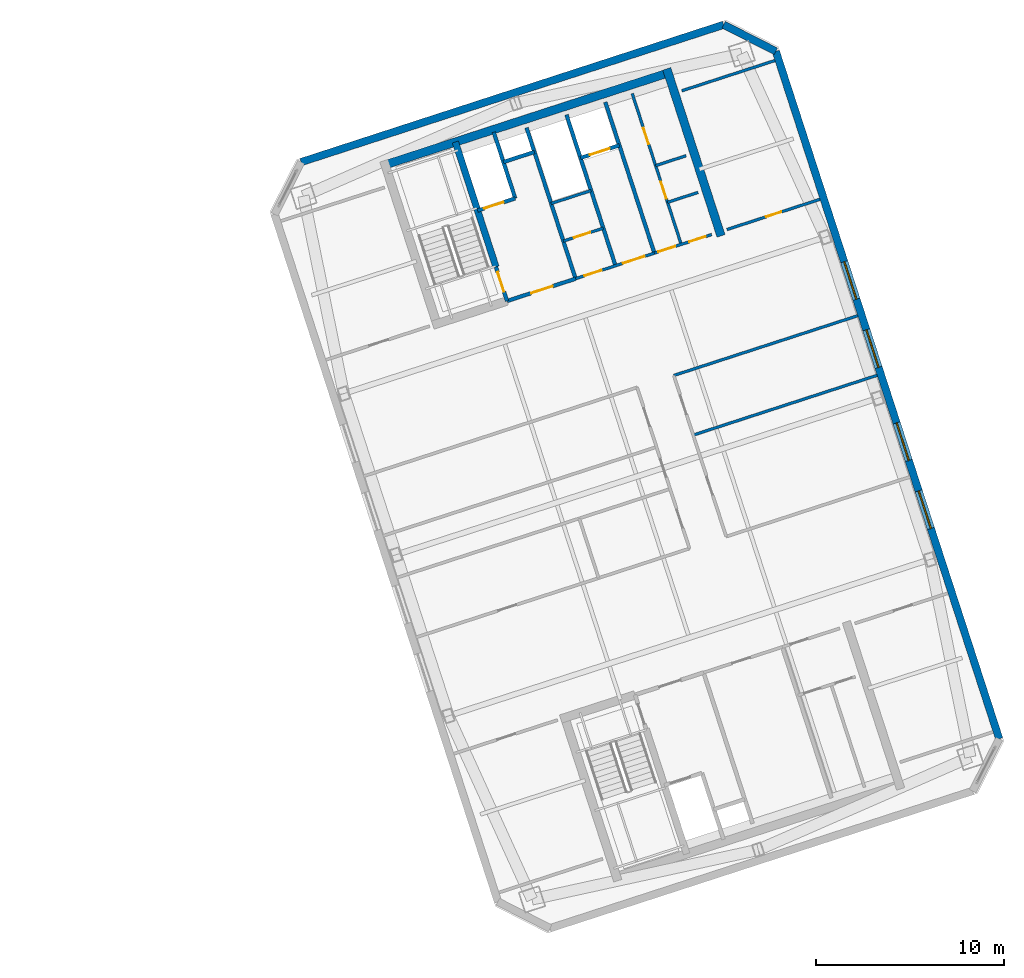
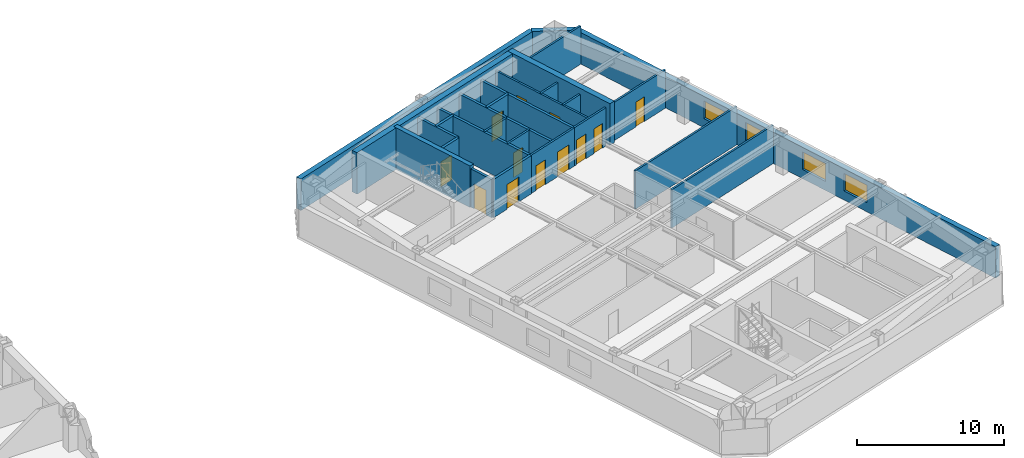
# One storey, part 17 of 20: 26 walls, 12 doors, 4 windows, 16 openings.
"""IFC4 building model written with IfcOpenShell, lengths in metres."""

from ifc_helpers import new_model, si_unit, direction, frame, frame_2d, origin, place, context, subcontext, project, spatial, rectangle, extrude, material, layer, layer_set, type_object, element, fill, save


model = new_model("IFC4")

# Units and contexts
model_context = context("Model", 3, precision=1e-05, world=origin(), true_north=direction((0.0, 1.0)))
body_context = subcontext(model_context, "Body", "Model", "MODEL_VIEW")
ifc_project = project(units=[si_unit("LENGTHUNIT", "METRE"), si_unit("AREAUNIT", "SQUARE_METRE"), si_unit("VOLUMEUNIT", "CUBIC_METRE"), si_unit("PLANEANGLEUNIT", "RADIAN"), si_unit("MASSUNIT", "GRAM", prefix="KILO")], contexts=[model_context])

# Site, building, storey
site_placement = place(None, origin())
site = spatial("IfcSite", under=ifc_project, at=site_placement, CompositionType="ELEMENT")
building_placement = place(site_placement, origin())
building = spatial("IfcBuilding", under=site, at=building_placement, Name="Qiaolan Cultural Towers", CompositionType="ELEMENT")
storey_placement = place(building_placement, frame((0.0, 0.0, 223.10009765625)))
storey = spatial("IfcBuildingStorey", under=building, at=storey_placement, Name="L60", CompositionType="ELEMENT", Elevation=223.10009765625)

# Walls
ifc_material_1 = material(Name="Concrete C50", Category="concrete")
ifc_layer_1 = layer(ifc_material_1, 0.35009765625)
ifc_layer_set_1 = layer_set([ifc_layer_1], Name="Concrete C50")
wall_type_1 = type_object("IfcWallType", Name="WL-CORE-350", PredefinedType="SHEAR", material=ifc_layer_set_1)
wall_1_placement = place(storey_placement, frame((82.513671875, 45.13134765625, 0.0), z_axis=(0.0, 0.0, 1.0), x_axis=(-0.308988790936, 0.951065679686, 0.0)))
element("IfcWall", 1, at=wall_1_placement, inside=storey, type_object=wall_type_1, Name="L60 T2-CN Stair Core Dividing Web", PredefinedType="SHEAR", context=body_context, shape_type="SweptSolid", body=[
    extrude(rectangle(XDim=6.97998046875, YDim=0.35009765625, at=frame_2d((3.489990234375, 0.0))), origin(), (0.0, 0.0, 1.0), 3.449951171875),
])
ifc_material_2 = material(Name="Concrete C50", Category="concrete")
ifc_layer_2 = layer(ifc_material_2, 0.449951171875)
ifc_layer_set_2 = layer_set([ifc_layer_2], Name="Concrete C50")
wall_type_2 = type_object("IfcWallType", Name="WL-CORE-450", PredefinedType="SHEAR", material=ifc_layer_set_2)
wall_2_placement = place(storey_placement, frame((76.414794921875, 50.489013671875, 0.0), z_axis=(0.0, 0.0, 1.0), x_axis=(0.951056810414, 0.309016089169, 0.0)))
element("IfcWall", 2, at=wall_2_placement, inside=storey, type_object=wall_type_2, Name="L60 T2-CN Outer Core Shear Wall", PredefinedType="SHEAR", context=body_context, shape_type="SweptSolid", body=[
    extrude(rectangle(XDim=16.25, YDim=0.449951171875, at=frame_2d((8.125, 0.0))), origin(), (0.0, 0.0, 1.0), 3.449951171875),
])
wall_3_placement = place(storey_placement, frame((94.468994140625, 46.781494140625, 0.0), z_axis=(0.0, 0.0, 1.0), x_axis=(-0.309004419953, 0.951060601881, 0.0)))
element("IfcWall", 3, at=wall_3_placement, inside=storey, type_object=wall_type_2, Name="L60 T2-CN East Core Shear Wall", PredefinedType="SHEAR", context=body_context, shape_type="SweptSolid", body=[
    extrude(rectangle(XDim=9.330078125, YDim=0.449951171875, at=frame_2d((4.6650390625, 0.0))), origin(), (0.0, 0.0, 1.0), 3.449951171875),
])
ifc_material_3 = material(Name="Precast Concrete C50 Honed Stone Pier", Category="masonry")
ifc_layer_3 = layer(ifc_material_3, 0.39990234375)
ifc_layer_set_3 = layer_set([ifc_layer_3], Name="Precast Concrete C50 Honed Stone Pier")
wall_type_3 = type_object("IfcWallType", Name="WL-EXT-PIER-400", PredefinedType="SOLIDWALL", material=ifc_layer_set_3)
wall_4_placement = place(storey_placement, frame((72.16455078125, 50.706298828125, 0.0), z_axis=(0.0, 0.0, 1.0), x_axis=(0.951058012937, 0.309012388148, 0.0)))
element("IfcWall", 4, at=wall_4_placement, inside=storey, type_object=wall_type_3, Name="L60 East Tower Precast Pier Facade Wall F3", PredefinedType="SOLIDWALL", context=body_context, shape_type="SweptSolid", body=[
    extrude(rectangle(XDim=23.60009765625, YDim=0.39990234375, at=frame_2d((11.800048828125, 0.0))), origin(), (0.0, 0.0, 1.0), 2.60986328125),
])
wall_5_placement = place(storey_placement, frame((94.609619140625, 57.9990234375, 0.0), z_axis=(0.0, 0.0, 1.0), x_axis=(0.890979603174, -0.454043331334, 0.0)))
element("IfcWall", 5, at=wall_5_placement, inside=storey, type_object=wall_type_3, Name="L60 East Tower Precast Pier Facade Wall F4", PredefinedType="SOLIDWALL", context=body_context, shape_type="SweptSolid", body=[
    extrude(rectangle(XDim=3.111083984375, YDim=0.39990234375, at=frame_2d((1.5556640625, 0.0))), origin(), (0.0, 0.0, 1.0), 2.60986328125),
])

# Wall, openings, windows
wall_6_placement = place(storey_placement, frame((97.381591796875, 56.58642578125, 0.0), z_axis=(0.0, 0.0, 1.0), x_axis=(0.309016491071, -0.951056679828, 0.0)))
wall_6 = element("IfcWall", 6, at=wall_6_placement, inside=storey, type_object=wall_type_3, Name="L60 East Tower Precast Pier Facade Wall F5", PredefinedType="SOLIDWALL", context=body_context, shape_type="SweptSolid", body=[
    extrude(rectangle(XDim=38.39990234375, YDim=0.39990234375, at=frame_2d((19.199951171875, 0.0))), origin(), (0.0, 0.0, 1.0), 2.60986328125),
])
opening_1_placement = place(wall_6_placement, frame((24.550048828125, 0.0, 0.75)))
opening_1 = element("IfcOpeningElement", 7, at=opening_1_placement, cuts=wall_6, Name="Opening W-05", PredefinedType="OPENING", context=body_context, shape_type="SweptSolid", body=[
    extrude(rectangle(XDim=2.10009765625, YDim=1.4599609375, at=frame_2d((1.050048828125, 0.72998046875))), frame((0.0, 0.2099609375, 0.0), z_axis=(0.0, -1.0, 0.0), x_axis=(1.0, 0.0, 0.0)), (0.0, 0.0, 1.0), 0.419921875),
])
opening_2_placement = place(wall_6_placement, frame((20.75, 0.0, 0.75)))
opening_2 = element("IfcOpeningElement", 8, at=opening_2_placement, cuts=wall_6, Name="Opening W-05", PredefinedType="OPENING", context=body_context, shape_type="SweptSolid", body=[
    extrude(rectangle(XDim=2.10009765625, YDim=1.4599609375, at=frame_2d((1.050048828125, 0.72998046875))), frame((0.0, 0.2099609375, 0.0), z_axis=(0.0, -1.0, 0.0), x_axis=(1.0, 0.0, 0.0)), (0.0, 0.0, 1.0), 0.419921875),
])
opening_3_placement = place(wall_6_placement, frame((15.550048828125, 0.0, 0.75)))
opening_3 = element("IfcOpeningElement", 9, at=opening_3_placement, cuts=wall_6, Name="Opening W-05", PredefinedType="OPENING", context=body_context, shape_type="SweptSolid", body=[
    extrude(rectangle(XDim=2.10009765625, YDim=1.4599609375, at=frame_2d((1.050048828125, 0.72998046875))), frame((0.0, 0.2099609375, 0.0), z_axis=(0.0, -1.0, 0.0), x_axis=(1.0, 0.0, 0.0)), (0.0, 0.0, 1.0), 0.419921875),
])
opening_4_placement = place(wall_6_placement, frame((11.75, 0.0, 0.75)))
opening_4 = element("IfcOpeningElement", 10, at=opening_4_placement, cuts=wall_6, Name="Opening W-05", PredefinedType="OPENING", context=body_context, shape_type="SweptSolid", body=[
    extrude(rectangle(XDim=2.10009765625, YDim=1.4599609375, at=frame_2d((1.050048828125, 0.72998046875))), frame((0.0, 0.2099609375, 0.0), z_axis=(0.0, -1.0, 0.0), x_axis=(1.0, 0.0, 0.0)), (0.0, 0.0, 1.0), 0.419921875),
])
ifc_material_4 = material(Name="Thermally Broken Aluminium Triple Low-E Glazing", Category="aluminium")
window_type = type_object("IfcWindowType", Name="WN-CHIC-2100", PartitioningType="SINGLE_PANEL", PredefinedType="WINDOW", material=ifc_material_4)
window_1_placement = place(opening_1_placement, origin())
window_1 = element("IfcWindow", 11, at=window_1_placement, inside=storey, type_object=window_type, Name="L60 T2 E Chicago Bay Window 1", OverallHeight=1.4599609375, OverallWidth=2.10009765625, PartitioningType="TRIPLE_PANEL_VERTICAL", PredefinedType="WINDOW", context=body_context, shape_type="SweptSolid", body=[
    extrude(rectangle(XDim=2.10009765625, YDim=1.4599609375, at=frame_2d((1.050048828125, 0.72998046875))), frame((0.0, 0.030029296875, 0.0), z_axis=(0.0, -1.0, 0.0), x_axis=(1.0, 0.0, 0.0)), (0.0, 0.0, 1.0), 0.06005859375),
])
fill(opening_1, window_1)
window_2_placement = place(opening_2_placement, origin())
window_2 = element("IfcWindow", 12, at=window_2_placement, inside=storey, type_object=window_type, Name="L60 T2 E Chicago Bay Window 2", OverallHeight=1.4599609375, OverallWidth=2.10009765625, PartitioningType="TRIPLE_PANEL_VERTICAL", PredefinedType="WINDOW", context=body_context, shape_type="SweptSolid", body=[
    extrude(rectangle(XDim=2.10009765625, YDim=1.4599609375, at=frame_2d((1.050048828125, 0.72998046875))), frame((0.0, 0.030029296875, 0.0), z_axis=(0.0, -1.0, 0.0), x_axis=(1.0, 0.0, 0.0)), (0.0, 0.0, 1.0), 0.06005859375),
])
fill(opening_2, window_2)
window_3_placement = place(opening_3_placement, origin())
window_3 = element("IfcWindow", 13, at=window_3_placement, inside=storey, type_object=window_type, Name="L60 T2 E Chicago Bay Window 3", OverallHeight=1.4599609375, OverallWidth=2.10009765625, PartitioningType="TRIPLE_PANEL_VERTICAL", PredefinedType="WINDOW", context=body_context, shape_type="SweptSolid", body=[
    extrude(rectangle(XDim=2.10009765625, YDim=1.4599609375, at=frame_2d((1.050048828125, 0.72998046875))), frame((0.0, 0.030029296875, 0.0), z_axis=(0.0, -1.0, 0.0), x_axis=(1.0, 0.0, 0.0)), (0.0, 0.0, 1.0), 0.06005859375),
])
fill(opening_3, window_3)
window_4_placement = place(opening_4_placement, origin())
window_4 = element("IfcWindow", 14, at=window_4_placement, inside=storey, type_object=window_type, Name="L60 T2 E Chicago Bay Window 4", OverallHeight=1.4599609375, OverallWidth=2.10009765625, PartitioningType="TRIPLE_PANEL_VERTICAL", PredefinedType="WINDOW", context=body_context, shape_type="SweptSolid", body=[
    extrude(rectangle(XDim=2.10009765625, YDim=1.4599609375, at=frame_2d((1.050048828125, 0.72998046875))), frame((0.0, 0.030029296875, 0.0), z_axis=(0.0, -1.0, 0.0), x_axis=(1.0, 0.0, 0.0)), (0.0, 0.0, 1.0), 0.06005859375),
])
fill(opening_4, window_4)

# Wall, opening, door
ifc_material_5 = material(Name="Concrete C35 Fire Wall", Category="concrete")
ifc_layer_4 = layer(ifc_material_5, 0.199951171875)
ifc_layer_set_4 = layer_set([ifc_layer_4], Name="Concrete C35 Fire Wall")
wall_type_4 = type_object("IfcWallType", Name="WL-FIRE-200", PredefinedType="PARTITIONING", material=ifc_layer_set_4)
wall_7_placement = place(storey_placement, frame((83.100830078125, 43.324462890625, 0.0), z_axis=(0.0, 0.0, 1.0), x_axis=(-0.309048298632, 0.951046344356, 0.0)))
wall_7 = element("IfcWall", 15, at=wall_7_placement, inside=storey, type_object=wall_type_4, Name="L60 T2-CN Smokeproof Stair Entry Wall", PredefinedType="PARTITIONING", context=body_context, shape_type="SweptSolid", body=[
    extrude(rectangle(XDim=1.89990234375, YDim=0.199951171875, at=frame_2d((0.949951171875, 0.0))), origin(), (0.0, 0.0, 1.0), 3.1748046875),
])
opening_5_placement = place(wall_7_placement, frame((0.52001953125, 0.0, 0.0)))
opening_5 = element("IfcOpeningElement", 16, at=opening_5_placement, cuts=wall_7, Name="Opening FD-04", PredefinedType="OPENING", context=body_context, shape_type="SweptSolid", body=[
    extrude(rectangle(XDim=1.10009765625, YDim=2.050048828125, at=frame_2d((0.550048828125, 1.02490234375))), frame((0.0, 0.10986328125, 0.0), z_axis=(0.0, -1.0, 0.0), x_axis=(1.0, 0.0, 0.0)), (0.0, 0.0, 1.0), 0.219970703125),
])
ifc_material_6 = material(Name="Galvanized Steel Command Fire Door", Category="steel")
door_type_1 = type_object("IfcDoorType", Name="DR-FD90-1100", OperationType="NOTDEFINED", PredefinedType="DOOR", material=ifc_material_6)
door_1_placement = place(opening_5_placement, origin())
door_1 = element("IfcDoor", 17, at=door_1_placement, inside=storey, type_object=door_type_1, Name="L60 ST-E2 Smokeproof Stair Fire Door", OperationType="SINGLE_SWING_LEFT", OverallHeight=2.050048828125, OverallWidth=1.10009765625, PredefinedType="DOOR", context=body_context, shape_type="SweptSolid", body=[
    extrude(rectangle(XDim=1.10009765625, YDim=2.050048828125, at=frame_2d((0.550048828125, 1.02490234375))), frame((0.0, 0.02490234375, 0.0), z_axis=(0.0, -1.0, 0.0), x_axis=(1.0, 0.0, 0.0)), (0.0, 0.0, 1.0), 0.050048828125),
])
fill(opening_5, door_1)

# Wall
wall_8_placement = place(storey_placement, frame((86.743408203125, 44.508056640625, 0.0), z_axis=(0.0, 0.0, 1.0), x_axis=(-0.309016001439, 0.951056838919, 0.0)))
element("IfcWall", 18, at=wall_8_placement, inside=storey, type_object=wall_type_4, Name="L60 T2-CN Firefighting Zone Wall", PredefinedType="PARTITIONING", context=body_context, shape_type="SweptSolid", body=[
    extrude(rectangle(XDim=8.429931640625, YDim=0.199951171875, at=frame_2d((4.21484375, 0.0))), origin(), (0.0, 0.0, 1.0), 3.1748046875),
])

# Wall, opening, door
wall_9_placement = place(storey_placement, frame((83.100830078125, 43.324462890625, 0.0), z_axis=(0.0, 0.0, 1.0), x_axis=(0.951052804469, 0.309028417967, 0.0)))
wall_9 = element("IfcWall", 19, at=wall_9_placement, inside=storey, type_object=wall_type_4, Name="L60 T2-CN Firefighting Lobby Front Wall", PredefinedType="PARTITIONING", context=body_context, shape_type="SweptSolid", body=[
    extrude(rectangle(XDim=3.830078125, YDim=0.199951171875, at=frame_2d((1.9150390625, 0.0))), origin(), (0.0, 0.0, 1.0), 3.1748046875),
])
opening_6_placement = place(wall_9_placement, frame((1.35009765625, 0.0, 0.0)))
opening_6 = element("IfcOpeningElement", 20, at=opening_6_placement, cuts=wall_9, Name="Opening FD-03", PredefinedType="OPENING", context=body_context, shape_type="SweptSolid", body=[
    extrude(rectangle(XDim=1.199951171875, YDim=2.050048828125, at=frame_2d((0.60009765625, 1.02490234375))), frame((0.0, 0.10986328125, 0.0), z_axis=(0.0, -1.0, 0.0), x_axis=(1.0, 0.0, 0.0)), (0.0, 0.0, 1.0), 0.219970703125),
])
ifc_material_7 = material(Name="Galvanized Steel Smokeproof Lobby Fire Door", Category="steel")
door_type_2 = type_object("IfcDoorType", Name="DR-FD90-1200", OperationType="NOTDEFINED", PredefinedType="DOOR", material=ifc_material_7)
door_2_placement = place(opening_6_placement, origin())
door_2 = element("IfcDoor", 21, at=door_2_placement, inside=storey, type_object=door_type_2, Name="L60 FFL-E2 Firefighting Lobby Fire Door", OperationType="SINGLE_SWING_LEFT", OverallHeight=2.050048828125, OverallWidth=1.199951171875, PredefinedType="DOOR", context=body_context, shape_type="SweptSolid", body=[
    extrude(rectangle(XDim=1.199951171875, YDim=2.050048828125, at=frame_2d((0.60009765625, 1.02490234375))), frame((0.0, 0.02490234375, 0.0), z_axis=(0.0, -1.0, 0.0), x_axis=(1.0, 0.0, 0.0)), (0.0, 0.0, 1.0), 0.050048828125),
])
fill(opening_6, door_2)

wall_10_placement = place(storey_placement, frame((81.540283203125, 48.127197265625, 0.0), z_axis=(0.0, 0.0, 1.0), x_axis=(0.951062257173, 0.308999325213, 0.0)))
wall_10 = element("IfcWall", 22, at=wall_10_placement, inside=storey, type_object=wall_type_4, Name="L60 T2-CN Firefighting Shaft Front Wall", PredefinedType="PARTITIONING", context=body_context, shape_type="SweptSolid", body=[
    extrude(rectangle(XDim=2.10009765625, YDim=0.199951171875, at=frame_2d((1.050048828125, 0.0))), origin(), (0.0, 0.0, 1.0), 3.1748046875),
])
opening_7_placement = place(wall_10_placement, frame((0.35009765625, 0.0, 0.0)))
opening_7 = element("IfcOpeningElement", 23, at=opening_7_placement, cuts=wall_10, Name="Opening LD-01", PredefinedType="OPENING", context=body_context, shape_type="SweptSolid", body=[
    extrude(rectangle(XDim=1.10009765625, YDim=2.050048828125, at=frame_2d((0.550048828125, 1.02490234375))), frame((0.0, 0.10986328125, 0.0), z_axis=(0.0, -1.0, 0.0), x_axis=(1.0, 0.0, 0.0)), (0.0, 0.0, 1.0), 0.219970703125),
])
ifc_material_8 = material(Name="Brushed Stainless Steel S30408 Centre-Parting Lift Landing Door", Category="steel")
door_type_3 = type_object("IfcDoorType", Name="DR-LIFT-1100", OperationType="NOTDEFINED", PredefinedType="DOOR", material=ifc_material_8)
door_3_placement = place(opening_7_placement, origin())
door_3 = element("IfcDoor", 24, at=door_3_placement, inside=storey, type_object=door_type_3, Name="L60 FFL-E2 Firefighting Lift Landing Door", OperationType="DOUBLE_DOOR_SLIDING", OverallHeight=2.050048828125, OverallWidth=1.10009765625, PredefinedType="DOOR", context=body_context, shape_type="SweptSolid", body=[
    extrude(rectangle(XDim=1.10009765625, YDim=2.050048828125, at=frame_2d((0.550048828125, 1.02490234375))), frame((0.0, 0.02490234375, 0.0), z_axis=(0.0, -1.0, 0.0), x_axis=(1.0, 0.0, 0.0)), (0.0, 0.0, 1.0), 0.050048828125),
])
fill(opening_7, door_3)

# Walls
wall_11_placement = place(storey_placement, frame((83.53759765625, 48.776123046875, 0.0), z_axis=(0.0, 0.0, 1.0), x_axis=(-0.3089935693, 0.951064127245, 0.0)))
element("IfcWall", 25, at=wall_11_placement, inside=storey, type_object=wall_type_4, Name="L60 T2-CN Firefighting Hoistway East Wall", PredefinedType="PARTITIONING", context=body_context, shape_type="SweptSolid", body=[
    extrude(rectangle(XDim=3.7001953125, YDim=0.199951171875, at=frame_2d((1.85009765625, 0.0))), origin(), (0.0, 0.0, 1.0), 3.1748046875),
])
wall_12_placement = place(storey_placement, frame((82.910400390625, 50.706787109375, 0.0), z_axis=(0.0, 0.0, 1.0), x_axis=(0.951041328149, 0.309063734775, 0.0)))
element("IfcWall", 26, at=wall_12_placement, inside=storey, type_object=wall_type_4, Name="L60 T2-CN Pressurization Shaft Front Wall", PredefinedType="PARTITIONING", context=body_context, shape_type="SweptSolid", body=[
    extrude(rectangle(XDim=1.72998046875, YDim=0.199951171875, at=frame_2d((0.864990234375, 0.0))), origin(), (0.0, 0.0, 1.0), 3.1748046875),
])
wall_13_placement = place(storey_placement, frame((90.92822265625, 45.86767578125, 0.0), z_axis=(0.0, 0.0, 1.0), x_axis=(-0.309042196757, 0.951048327176, 0.0)))
element("IfcWall", 27, at=wall_13_placement, inside=storey, type_object=wall_type_4, Name="L60 T2-CN Lift Core East Wall", PredefinedType="PARTITIONING", context=body_context, shape_type="SweptSolid", body=[
    extrude(rectangle(XDim=8.429931640625, YDim=0.199951171875, at=frame_2d((4.21484375, 0.0))), origin(), (0.0, 0.0, 1.0), 3.1748046875),
])
wall_14_placement = place(storey_placement, frame((88.8642578125, 45.197021484375, 0.0), z_axis=(0.0, 0.0, 1.0), x_axis=(-0.309007490203, 0.951059604335, 0.0)))
element("IfcWall", 28, at=wall_14_placement, inside=storey, type_object=wall_type_4, Name="L60 T2-CN Sky Shuttle Lift Zone Wall", PredefinedType="PARTITIONING", context=body_context, shape_type="SweptSolid", body=[
    extrude(rectangle(XDim=8.43017578125, YDim=0.199951171875, at=frame_2d((4.215087890625, 0.0))), origin(), (0.0, 0.0, 1.0), 3.1748046875),
])

# Wall, opening, door
wall_15_placement = place(storey_placement, frame((87.004150390625, 50.92236328125, 0.0), z_axis=(0.0, 0.0, 1.0), x_axis=(0.951041509718, 0.309063176055, 0.0)))
wall_15 = element("IfcWall", 29, at=wall_15_placement, inside=storey, type_object=wall_type_4, Name="L60 T2-CN Shuttle Lift Shaft Front", PredefinedType="PARTITIONING", context=body_context, shape_type="SweptSolid", body=[
    extrude(rectangle(XDim=2.169921875, YDim=0.199951171875, at=frame_2d((1.0849609375, 0.0))), origin(), (0.0, 0.0, 1.0), 3.1748046875),
])
opening_8_placement = place(wall_15_placement, frame((0.52001953125, 0.0, 0.0)))
opening_8 = element("IfcOpeningElement", 30, at=opening_8_placement, cuts=wall_15, Name="Opening LD-01", PredefinedType="OPENING", context=body_context, shape_type="SweptSolid", body=[
    extrude(rectangle(XDim=1.10009765625, YDim=2.050048828125, at=frame_2d((0.550048828125, 1.02490234375))), frame((0.0, 0.10986328125, 0.0), z_axis=(0.0, -1.0, 0.0), x_axis=(1.0, 0.0, 0.0)), (0.0, 0.0, 1.0), 0.219970703125),
])
door_4_placement = place(opening_8_placement, origin())
door_4 = element("IfcDoor", 31, at=door_4_placement, inside=storey, type_object=door_type_3, Name="L60 Sky Shuttle Lift Landing Door", OperationType="DOUBLE_DOOR_SLIDING", OverallHeight=2.050048828125, OverallWidth=1.10009765625, PredefinedType="DOOR", context=body_context, shape_type="SweptSolid", body=[
    extrude(rectangle(XDim=1.10009765625, YDim=2.050048828125, at=frame_2d((0.550048828125, 1.02490234375))), frame((0.0, 0.02490234375, 0.0), z_axis=(0.0, -1.0, 0.0), x_axis=(1.0, 0.0, 0.0)), (0.0, 0.0, 1.0), 0.050048828125),
])
fill(opening_8, door_4)

# Wall, openings, doors
ifc_material_9 = material(Name="Autoclaved Aerated Concrete Block B06", Category="concrete")
ifc_layer_5 = layer(ifc_material_9, 0.14990234375)
ifc_layer_set_5 = layer_set([ifc_layer_5], Name="Autoclaved Aerated Concrete Block B06")
wall_type_5 = type_object("IfcWallType", Name="WL-PART-150", PredefinedType="PARTITIONING", material=ifc_layer_set_5)
wall_16_placement = place(storey_placement, frame((86.743408203125, 44.508056640625, 0.0), z_axis=(0.0, 0.0, 1.0), x_axis=(0.951063829732, 0.308994485023, 0.0)))
wall_16 = element("IfcWall", 32, at=wall_16_placement, inside=storey, type_object=wall_type_5, Name="L60 T2-CN High-Zone Lift Lobby Wall", PredefinedType="PARTITIONING", context=body_context, shape_type="SweptSolid", body=[
    extrude(rectangle(XDim=4.400146484375, YDim=0.14990234375, at=frame_2d((2.2001953125, 0.0))), origin(), (0.0, 0.0, 1.0), 3.1748046875),
])
opening_9_placement = place(wall_16_placement, frame((0.5, 0.0, 0.0)))
opening_9 = element("IfcOpeningElement", 33, at=opening_9_placement, cuts=wall_16, Name="Opening ID-05", PredefinedType="OPENING", context=body_context, shape_type="SweptSolid", body=[
    extrude(rectangle(XDim=0.949951171875, YDim=2.050048828125, at=frame_2d((0.47509765625, 1.02490234375))), frame((0.0, 0.0849609375, 0.0), z_axis=(0.0, -1.0, 0.0), x_axis=(1.0, 0.0, 0.0)), (0.0, 0.0, 1.0), 0.169921875),
])
opening_10_placement = place(wall_16_placement, frame((2.64990234375, 0.0, 0.0)))
opening_10 = element("IfcOpeningElement", 34, at=opening_10_placement, cuts=wall_16, Name="Opening FD-06", PredefinedType="OPENING", context=body_context, shape_type="SweptSolid", body=[
    extrude(rectangle(XDim=1.199951171875, YDim=2.050048828125, at=frame_2d((0.60009765625, 1.02490234375))), frame((0.0, 0.0849609375, 0.0), z_axis=(0.0, -1.0, 0.0), x_axis=(1.0, 0.0, 0.0)), (0.0, 0.0, 1.0), 0.169921875),
])
ifc_material_10 = material(Name="Painted Steel Plant Fire Door", Category="steel")
door_type_4 = type_object("IfcDoorType", Name="DR-FD60-1200", OperationType="NOTDEFINED", PredefinedType="DOOR", material=ifc_material_10)
door_5_placement = place(opening_10_placement, origin())
door_5 = element("IfcDoor", 35, at=door_5_placement, inside=storey, type_object=door_type_4, Name="L60 Sky Shuttle Lift Lobby Door", OperationType="SINGLE_SWING_RIGHT", OverallHeight=2.050048828125, OverallWidth=1.199951171875, PredefinedType="DOOR", context=body_context, shape_type="SweptSolid", body=[
    extrude(rectangle(XDim=1.199951171875, YDim=2.050048828125, at=frame_2d((0.60009765625, 1.02490234375))), frame((0.0, 0.02490234375, 0.0), z_axis=(0.0, -1.0, 0.0), x_axis=(1.0, 0.0, 0.0)), (0.0, 0.0, 1.0), 0.050048828125),
])
fill(opening_10, door_5)
ifc_material_11 = material(Name="Fire-Rated Laminate Accessible Core Door", Category="timber")
door_type_5 = type_object("IfcDoorType", Name="DR-INT-950", OperationType="NOTDEFINED", PredefinedType="DOOR", material=ifc_material_11)
door_6_placement = place(opening_9_placement, origin())
door_6 = element("IfcDoor", 36, at=door_6_placement, inside=storey, type_object=door_type_5, Name="L60 Reclaimed Server Room Door", OperationType="SINGLE_SWING_LEFT", OverallHeight=2.050048828125, OverallWidth=0.949951171875, PredefinedType="DOOR", context=body_context, shape_type="SweptSolid", body=[
    extrude(rectangle(XDim=0.949951171875, YDim=2.050048828125, at=frame_2d((0.47509765625, 1.02490234375))), frame((0.0, 0.02490234375, 0.0), z_axis=(0.0, -1.0, 0.0), x_axis=(1.0, 0.0, 0.0)), (0.0, 0.0, 1.0), 0.050048828125),
])
fill(opening_9, door_6)

# Wall
wall_17_placement = place(storey_placement, frame((85.445556640625, 48.50244140625, 0.0), z_axis=(0.0, 0.0, 1.0), x_axis=(0.951075093106, 0.308959814982, 0.0)))
element("IfcWall", 37, at=wall_17_placement, inside=storey, type_object=wall_type_5, Name="L60 T2-CN High-Zone Smoke Shaft Split", PredefinedType="PARTITIONING", context=body_context, shape_type="SweptSolid", body=[
    extrude(rectangle(XDim=2.22998046875, YDim=0.14990234375, at=frame_2d((1.114990234375, 0.0))), origin(), (0.0, 0.0, 1.0), 3.1748046875),
])

# Wall, opening, door
wall_18_placement = place(storey_placement, frame((86.094482421875, 46.505126953125, 0.0), z_axis=(0.0, 0.0, 1.0), x_axis=(0.951042918244, 0.309058841741, 0.0)))
wall_18 = element("IfcWall", 38, at=wall_18_placement, inside=storey, type_object=wall_type_5, Name="L60 T2-CN High-Zone Archive Suite Partition", PredefinedType="PARTITIONING", context=body_context, shape_type="SweptSolid", body=[
    extrude(rectangle(XDim=2.22998046875, YDim=0.14990234375, at=frame_2d((1.114990234375, 0.0))), origin(), (0.0, 0.0, 1.0), 3.1748046875),
])
opening_11_placement = place(wall_18_placement, frame((0.60009765625, 0.0, 0.0)))
opening_11 = element("IfcOpeningElement", 39, at=opening_11_placement, cuts=wall_18, Name="Opening ID-06", PredefinedType="OPENING", context=body_context, shape_type="SweptSolid", body=[
    extrude(rectangle(XDim=0.89990234375, YDim=2.050048828125, at=frame_2d((0.449951171875, 1.02490234375))), frame((0.0, 0.0849609375, 0.0), z_axis=(0.0, -1.0, 0.0), x_axis=(1.0, 0.0, 0.0)), (0.0, 0.0, 1.0), 0.169921875),
])
ifc_material_12 = material(Name="Fire-Rated Laminate Core Service Door", Category="timber")
door_type_6 = type_object("IfcDoorType", Name="DR-INT-900", OperationType="NOTDEFINED", PredefinedType="DOOR", material=ifc_material_12)
door_7_placement = place(opening_11_placement, origin())
door_7 = element("IfcDoor", 40, at=door_7_placement, inside=storey, type_object=door_type_6, Name="L60 Archive Vault Inner Door", OperationType="SINGLE_SWING_LEFT", OverallHeight=2.050048828125, OverallWidth=0.89990234375, PredefinedType="DOOR", context=body_context, shape_type="SweptSolid", body=[
    extrude(rectangle(XDim=0.89990234375, YDim=2.050048828125, at=frame_2d((0.449951171875, 1.02490234375))), frame((0.0, 0.02490234375, 0.0), z_axis=(0.0, -1.0, 0.0), x_axis=(1.0, 0.0, 0.0)), (0.0, 0.0, 1.0), 0.050048828125),
])
fill(opening_11, door_7)

# Wall, openings, doors
wall_19_placement = place(storey_placement, frame((90.92822265625, 45.86767578125, 0.0), z_axis=(0.0, 0.0, 1.0), x_axis=(0.951059297078, 0.309008435874, 0.0)))
wall_19 = element("IfcWall", 41, at=wall_19_placement, inside=storey, type_object=wall_type_5, Name="L60 T2-CN Sanitary Core Front Wall", PredefinedType="PARTITIONING", context=body_context, shape_type="SweptSolid", body=[
    extrude(rectangle(XDim=3.19970703125, YDim=0.14990234375, at=frame_2d((1.599853515625, 0.0))), origin(), (0.0, 0.0, 1.0), 3.1748046875),
])
opening_12_placement = place(wall_19_placement, frame((0.219970703125, 0.0, 0.0)))
opening_12 = element("IfcOpeningElement", 42, at=opening_12_placement, cuts=wall_19, Name="Opening ID-05", PredefinedType="OPENING", context=body_context, shape_type="SweptSolid", body=[
    extrude(rectangle(XDim=0.949951171875, YDim=2.050048828125, at=frame_2d((0.47509765625, 1.02490234375))), frame((0.0, 0.0849609375, 0.0), z_axis=(0.0, -1.0, 0.0), x_axis=(1.0, 0.0, 0.0)), (0.0, 0.0, 1.0), 0.169921875),
])
opening_13_placement = place(wall_19_placement, frame((1.949951171875, 0.0, 0.0)))
opening_13 = element("IfcOpeningElement", 43, at=opening_13_placement, cuts=wall_19, Name="Opening ID-06", PredefinedType="OPENING", context=body_context, shape_type="SweptSolid", body=[
    extrude(rectangle(XDim=0.89990234375, YDim=2.050048828125, at=frame_2d((0.449951171875, 1.02490234375))), frame((0.0, 0.0849609375, 0.0), z_axis=(0.0, -1.0, 0.0), x_axis=(1.0, 0.0, 0.0)), (0.0, 0.0, 1.0), 0.169921875),
])
door_8_placement = place(opening_13_placement, origin())
door_8 = element("IfcDoor", 44, at=door_8_placement, inside=storey, type_object=door_type_6, Name="L60 Core Tea Pantry Door", OperationType="SINGLE_SWING_RIGHT", OverallHeight=2.050048828125, OverallWidth=0.89990234375, PredefinedType="DOOR", context=body_context, shape_type="SweptSolid", body=[
    extrude(rectangle(XDim=0.89990234375, YDim=2.050048828125, at=frame_2d((0.449951171875, 1.02490234375))), frame((0.0, 0.02490234375, 0.0), z_axis=(0.0, -1.0, 0.0), x_axis=(1.0, 0.0, 0.0)), (0.0, 0.0, 1.0), 0.050048828125),
])
fill(opening_13, door_8)
door_9_placement = place(opening_12_placement, origin())
door_9 = element("IfcDoor", 45, at=door_9_placement, inside=storey, type_object=door_type_5, Name="L60 Sanitary Passage Door", OperationType="SINGLE_SWING_LEFT", OverallHeight=2.050048828125, OverallWidth=0.949951171875, PredefinedType="DOOR", context=body_context, shape_type="SweptSolid", body=[
    extrude(rectangle(XDim=0.949951171875, YDim=2.050048828125, at=frame_2d((0.47509765625, 1.02490234375))), frame((0.0, 0.02490234375, 0.0), z_axis=(0.0, -1.0, 0.0), x_axis=(1.0, 0.0, 0.0)), (0.0, 0.0, 1.0), 0.050048828125),
])
fill(opening_12, door_9)

wall_20_placement = place(storey_placement, frame((92.354736328125, 46.3310546875, 0.0), z_axis=(0.0, 0.0, 1.0), x_axis=(-0.309007490203, 0.951059604335, 0.0)))
wall_20 = element("IfcWall", 46, at=wall_20_placement, inside=storey, type_object=wall_type_5, Name="L60 T2-CN Sanitary Corridor Wall", PredefinedType="PARTITIONING", context=body_context, shape_type="SweptSolid", body=[
    extrude(rectangle(XDim=8.43017578125, YDim=0.14990234375, at=frame_2d((4.215087890625, 0.0))), origin(), (0.0, 0.0, 1.0), 3.1748046875),
])
opening_14_placement = place(wall_20_placement, frame((2.550048828125, 0.0, 0.0)))
opening_14 = element("IfcOpeningElement", 47, at=opening_14_placement, cuts=wall_20, Name="Opening ID-05", PredefinedType="OPENING", context=body_context, shape_type="SweptSolid", body=[
    extrude(rectangle(XDim=0.949951171875, YDim=2.050048828125, at=frame_2d((0.47509765625, 1.02490234375))), frame((0.0, 0.0849609375, 0.0), z_axis=(0.0, -1.0, 0.0), x_axis=(1.0, 0.0, 0.0)), (0.0, 0.0, 1.0), 0.169921875),
])
opening_15_placement = place(wall_20_placement, frame((5.60009765625, 0.0, 0.0)))
opening_15 = element("IfcOpeningElement", 48, at=opening_15_placement, cuts=wall_20, Name="Opening ID-06", PredefinedType="OPENING", context=body_context, shape_type="SweptSolid", body=[
    extrude(rectangle(XDim=0.89990234375, YDim=2.050048828125, at=frame_2d((0.449951171875, 1.02490234375))), frame((0.0, 0.0849609375, 0.0), z_axis=(0.0, -1.0, 0.0), x_axis=(1.0, 0.0, 0.0)), (0.0, 0.0, 1.0), 0.169921875),
])
door_10_placement = place(opening_15_placement, origin())
door_10 = element("IfcDoor", 49, at=door_10_placement, inside=storey, type_object=door_type_6, Name="L60 Staff Restroom Door", OperationType="SINGLE_SWING_RIGHT", OverallHeight=2.050048828125, OverallWidth=0.89990234375, PredefinedType="DOOR", context=body_context, shape_type="SweptSolid", body=[
    extrude(rectangle(XDim=0.89990234375, YDim=2.050048828125, at=frame_2d((0.449951171875, 1.02490234375))), frame((0.0, 0.02490234375, 0.0), z_axis=(0.0, -1.0, 0.0), x_axis=(1.0, 0.0, 0.0)), (0.0, 0.0, 1.0), 0.050048828125),
])
fill(opening_15, door_10)
door_11_placement = place(opening_14_placement, origin())
door_11 = element("IfcDoor", 50, at=door_11_placement, inside=storey, type_object=door_type_5, Name="L60 Accessible Washroom Door", OperationType="SINGLE_SWING_LEFT", OverallHeight=2.050048828125, OverallWidth=0.949951171875, PredefinedType="DOOR", context=body_context, shape_type="SweptSolid", body=[
    extrude(rectangle(XDim=0.949951171875, YDim=2.050048828125, at=frame_2d((0.47509765625, 1.02490234375))), frame((0.0, 0.02490234375, 0.0), z_axis=(0.0, -1.0, 0.0), x_axis=(1.0, 0.0, 0.0)), (0.0, 0.0, 1.0), 0.050048828125),
])
fill(opening_14, door_11)

# Walls
wall_21_placement = place(storey_placement, frame((90.9951171875, 50.515869140625, 0.0), z_axis=(0.0, 0.0, 1.0), x_axis=(0.951040401051, 0.309066587596, 0.0)))
element("IfcWall", 51, at=wall_21_placement, inside=storey, type_object=wall_type_5, Name="L60 T2-CN Restroom Split Wall", PredefinedType="PARTITIONING", context=body_context, shape_type="SweptSolid", body=[
    extrude(rectangle(XDim=1.699951171875, YDim=0.14990234375, at=frame_2d((0.85009765625, 0.0))), origin(), (0.0, 0.0, 1.0), 3.1748046875),
])
wall_22_placement = place(storey_placement, frame((91.62841796875, 48.566162109375, 0.0), z_axis=(0.0, 0.0, 1.0), x_axis=(0.951054116971, 0.309024378638, 0.0)))
element("IfcWall", 52, at=wall_22_placement, inside=storey, type_object=wall_type_5, Name="L60 T2-CN Core Pantry Wall", PredefinedType="PARTITIONING", context=body_context, shape_type="SweptSolid", body=[
    extrude(rectangle(XDim=1.7001953125, YDim=0.14990234375, at=frame_2d((0.85009765625, 0.0))), origin(), (0.0, 0.0, 1.0), 3.1748046875),
])
wall_23_placement = place(storey_placement, frame((92.385009765625, 54.48974609375, 0.0), z_axis=(0.0, 0.0, 1.0), x_axis=(0.951055112834, 0.309021313752, 0.0)))
element("IfcWall", 53, at=wall_23_placement, inside=storey, type_object=wall_type_5, Name="L60 T2 Flank Wall FLK-NE", PredefinedType="PARTITIONING", context=body_context, shape_type="SweptSolid", body=[
    extrude(rectangle(XDim=5.2001953125, YDim=0.14990234375, at=frame_2d((2.60009765625, 0.0))), origin(), (0.0, 0.0, 1.0), 3.1748046875),
])

# Wall, opening, door
wall_24_placement = place(storey_placement, frame((94.77978515625, 47.119140625, 0.0), z_axis=(0.0, 0.0, 1.0), x_axis=(0.951055112834, 0.309021313752, 0.0)))
wall_24 = element("IfcWall", 54, at=wall_24_placement, inside=storey, type_object=wall_type_5, Name="L60 T2 Flank Front FLK-NE", PredefinedType="PARTITIONING", context=body_context, shape_type="SweptSolid", body=[
    extrude(rectangle(XDim=5.2001953125, YDim=0.14990234375, at=frame_2d((2.60009765625, 0.0))), origin(), (0.0, 0.0, 1.0), 3.1748046875),
])
opening_16_placement = place(wall_24_placement, frame((2.18408203125, 0.0, 0.0)))
opening_16 = element("IfcOpeningElement", 55, at=opening_16_placement, cuts=wall_24, Name="Opening ID-09", PredefinedType="OPENING", context=body_context, shape_type="SweptSolid", body=[
    extrude(rectangle(XDim=0.85009765625, YDim=2.050048828125, at=frame_2d((0.425048828125, 1.02490234375))), frame((0.0, 0.0849609375, 0.0), z_axis=(0.0, -1.0, 0.0), x_axis=(1.0, 0.0, 0.0)), (0.0, 0.0, 1.0), 0.169921875),
])
ifc_material_13 = material(Name="Moisture-Resistant Laminate Utility Door", Category="timber")
door_type_7 = type_object("IfcDoorType", Name="DR-INT-850", OperationType="NOTDEFINED", PredefinedType="DOOR", material=ifc_material_13)
door_12_placement = place(opening_16_placement, origin())
door_12 = element("IfcDoor", 56, at=door_12_placement, inside=storey, type_object=door_type_7, Name="L60 T2 Corner Studio Door", OperationType="SINGLE_SWING_LEFT", OverallHeight=2.050048828125, OverallWidth=0.85009765625, PredefinedType="DOOR", context=body_context, shape_type="SweptSolid", body=[
    extrude(rectangle(XDim=0.85009765625, YDim=2.050048828125, at=frame_2d((0.425048828125, 1.02490234375))), frame((0.0, 0.02490234375, 0.0), z_axis=(0.0, -1.0, 0.0), x_axis=(1.0, 0.0, 0.0)), (0.0, 0.0, 1.0), 0.050048828125),
])
fill(opening_16, door_12)

# Walls
for number, where, z_axis, x_axis, name in (
    (57, (91.9619140625, 39.369140625, 0.0), (0.0, 0.0, 1.0), (0.951058162647, 0.309011927378, 0.0), "L60 T2 North Foyer East Wall"),
    (58, (92.990966796875, 36.201904296875, 0.0), (0.0, 0.0, 1.0), (0.951051179373, 0.309033419251, 0.0), "L60 T2 Interior Wall"),
):
    element("IfcWall", number, at=place(storey_placement, frame(where, z_axis=z_axis, x_axis=x_axis)), inside=storey, type_object=wall_type_5, Name=name, PredefinedType="PARTITIONING", context=body_context, shape_type="SweptSolid", body=[
        extrude(rectangle(XDim=10.27490234375, YDim=0.14990234375, at=frame_2d((5.137451171875, 0.0))), origin(), (0.0, 0.0, 1.0), 3.1748046875),
    ])

save(model, "model.ifc")
